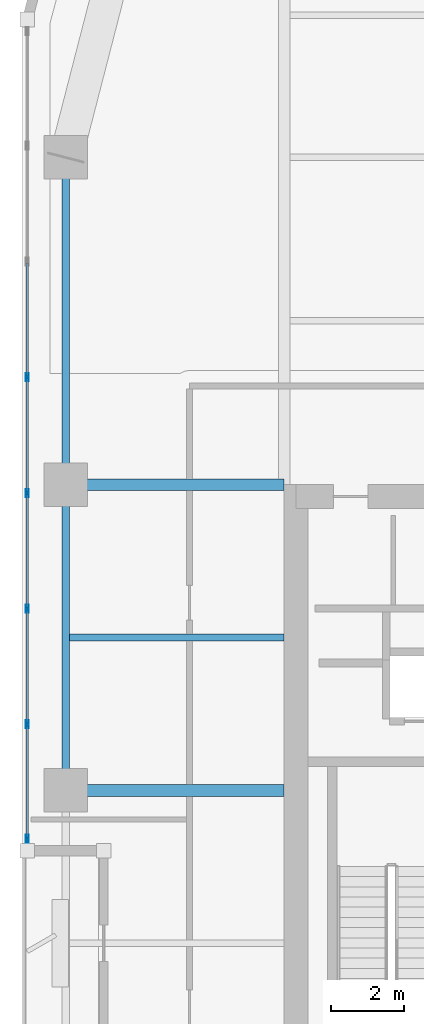
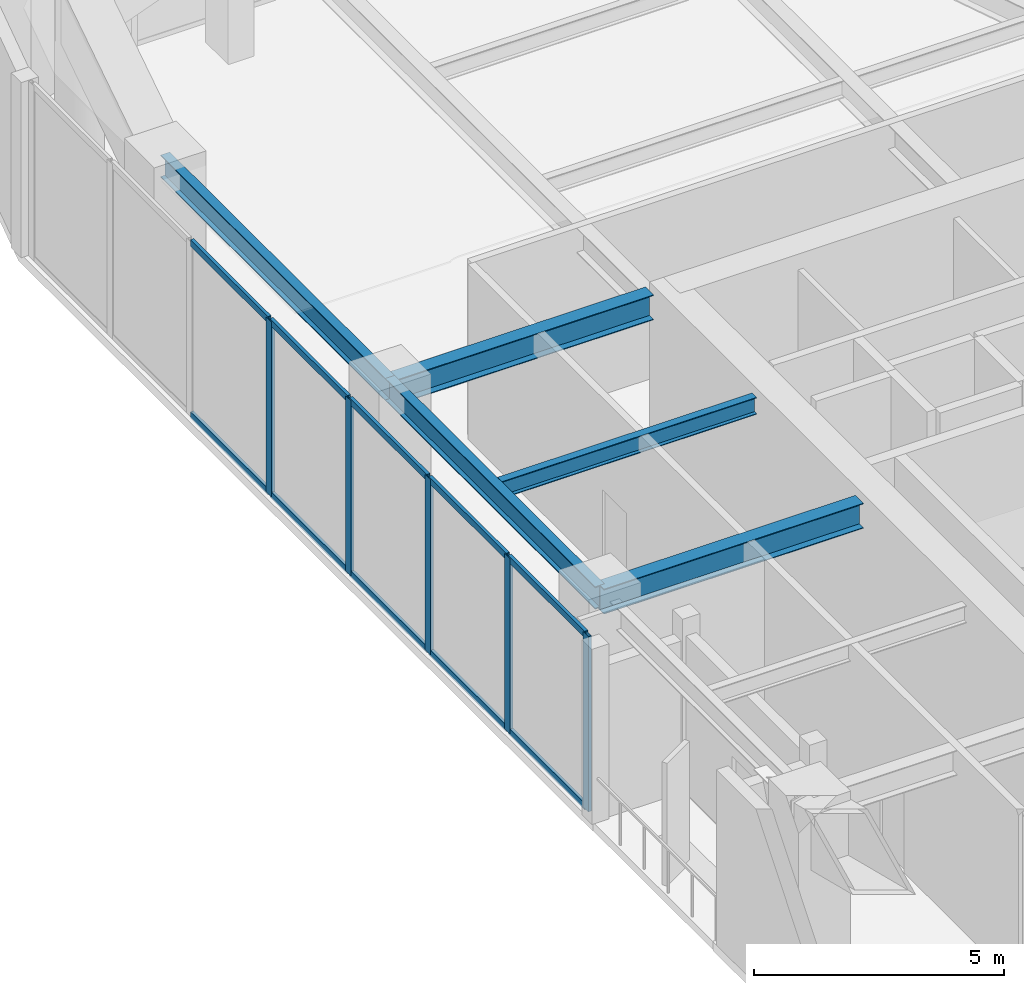
# One storey, part 2 of 18: 15 members, 5 beams, 1 element without a shape of its own.
"""IFC4 building model written with IfcOpenShell, lengths in metres."""

import ifcopenshell
import ifcopenshell.guid

model = None  # the IFC model being written
_history = None  # IfcOwnerHistory: only IFC2X3 demands one
_inside = {}  # id of a spatial element -> (the spatial element, [elements in it])
_under = {}  # id of a project, library or spatial element -> (it, [spatial elements below it])
_declared = {}  # id of a project -> (the project, [libraries it declares])
_typed = {}  # id of a type object -> (the type object, [elements of that type])
_made_of = {}  # id of a material, layer set ... -> (it, [elements and type objects made of it])


def new_model(schema):
    """Start an empty IFC model of exactly this schema.

    Asked for "IFC4X3", IfcOpenShell would pick the latest addendum, in which some entities
    have other attributes; the version numbers below select the first issue.
    IFC2X3 requires an IfcOwnerHistory on every rooted entity: one is made here for all.
    """
    global model, _history
    if schema == "IFC4X3":
        model = ifcopenshell.file(schema_version=(4, 3, 0, 0))
    else:
        model = ifcopenshell.file(schema=schema)
    _inside.clear()
    _under.clear()
    _declared.clear()
    _typed.clear()
    _made_of.clear()
    _history = None
    if model.schema == "IFC2X3":
        org = make("IfcOrganization", Name="unknown")
        user = make(
            "IfcPersonAndOrganization",
            ThePerson=make("IfcPerson", FamilyName="unknown"),
            TheOrganization=org,
        )
        app = make(
            "IfcApplication",
            ApplicationDeveloper=org,
            Version="unknown",
            ApplicationFullName="unknown",
            ApplicationIdentifier="unknown",
        )
        _history = make(
            "IfcOwnerHistory",
            OwningUser=user,
            OwningApplication=app,
            ChangeAction="ADDED",
            CreationDate=0,
        )
    return model


def make(cls, **values):
    """One entity of the class cls with the attributes given. An attribute that is None is left unset."""
    return model.create_entity(
        cls, **{name: value for name, value in values.items() if value is not None}
    )


def rooted(cls, **values):
    """An entity with a GlobalId (a new one), such as an element, a storey or a relation."""
    return make(cls, GlobalId=ifcopenshell.guid.new(), OwnerHistory=_history, **values)


def si_unit(unit_type, name, prefix=None):
    """IfcSIUnit, for example si_unit("LENGTHUNIT", "METRE", prefix="MILLI")."""
    return make("IfcSIUnit", UnitType=unit_type, Prefix=prefix, Name=name)


def assignment(units):
    """IfcUnitAssignment: the units of a project."""
    return None if units is None else make("IfcUnitAssignment", Units=units)


def point(xyz):
    """IfcCartesianPoint."""
    return None if xyz is None else make("IfcCartesianPoint", Coordinates=xyz)


def direction(xyz):
    """IfcDirection."""
    return None if xyz is None else make("IfcDirection", DirectionRatios=xyz)


def frame(location, z_axis=None, x_axis=None):
    """IfcAxis2Placement3D, a coordinate frame: its origin and axes. An axis left out is left unset."""
    return make(
        "IfcAxis2Placement3D",
        Location=point(location),
        Axis=direction(z_axis),
        RefDirection=direction(x_axis),
    )


def frame_2d(location, x_axis=None):
    """IfcAxis2Placement2D, a coordinate frame in the plane: its origin and x axis."""
    return make(
        "IfcAxis2Placement2D", Location=point(location), RefDirection=direction(x_axis)
    )


def origin():
    """The frame at (0, 0, 0) with its axes left unset."""
    return frame((0.0, 0.0, 0.0))


def origin_2d():
    """The frame at (0, 0) in the plane with its x axis left unset."""
    return frame_2d((0.0, 0.0))


def place(relative_to, where):
    """IfcLocalPlacement: puts the frame where relative to a parent placement (None: the world)."""
    return make(
        "IfcLocalPlacement", PlacementRelTo=relative_to, RelativePlacement=where
    )


def context(
    kind, dimensions, precision=None, world=None, true_north=None, identifier=None
):
    """IfcGeometricRepresentationContext, for example the 3D "Model" context."""
    return make(
        "IfcGeometricRepresentationContext",
        ContextIdentifier=identifier,
        ContextType=kind,
        CoordinateSpaceDimension=dimensions,
        Precision=precision,
        WorldCoordinateSystem=world,
        TrueNorth=true_north,
    )


def subcontext(parent, identifier, kind, view, scale=None):
    """IfcGeometricRepresentationSubContext, for example "Body" below "Model"."""
    return make(
        "IfcGeometricRepresentationSubContext",
        ContextIdentifier=identifier,
        ContextType=kind,
        ParentContext=parent,
        TargetScale=scale,
        TargetView=view,
    )


def project(units=None, contexts=None):
    """IfcProject with its units and contexts."""
    return rooted(
        "IfcProject",
        Name="project",
        RepresentationContexts=contexts,
        UnitsInContext=assignment(units),
    )


def spatial(cls, under=None, at=None, **own):
    """A site, building, storey or space (cls), placed at a placement, below another one or the project."""
    s = rooted(cls, ObjectPlacement=at, **own)
    if under is not None:
        _under.setdefault(under.id(), (under, []))[1].append(s)
    return s


def profile(cls, at=None, kind="AREA", **sizes):
    """A parametric profile (cls). Its sizes go by their IFC names, for example OverallWidth=200.0."""
    return make(cls, ProfileType=kind, Position=at, **sizes)


def hollow_rectangle(**sizes):
    """IfcRectangleHollowProfileDef."""
    return profile("IfcRectangleHollowProfileDef", **sizes)


def i_section(**sizes):
    """IfcIShapeProfileDef."""
    return profile("IfcIShapeProfileDef", **sizes)


def extrude(swept, where, along, depth):
    """IfcExtrudedAreaSolid: the profile swept, set in the frame where, extruded along a direction by depth."""
    return make(
        "IfcExtrudedAreaSolid",
        SweptArea=swept,
        Position=where,
        ExtrudedDirection=direction(along),
        Depth=depth,
    )


def shape(context_of_items, identifier, shape_type, items):
    """IfcShapeRepresentation: the items that make up one representation, for example the "Body"."""
    return make(
        "IfcShapeRepresentation",
        ContextOfItems=context_of_items,
        RepresentationIdentifier=identifier,
        RepresentationType=shape_type,
        Items=items,
    )


def material(Name=None, Category=None):
    """IfcMaterial."""
    return make("IfcMaterial", Name=Name, Category=Category)


def layer(
    of_material, thickness, ventilated=None, Name=None, Category=None, Priority=None
):
    """IfcMaterialLayer: one layer of a wall or slab, of a material (None: an air gap)."""
    return make(
        "IfcMaterialLayer",
        Material=of_material,
        LayerThickness=thickness,
        IsVentilated=ventilated,
        Name=Name,
        Category=Category,
        Priority=Priority,
    )


def layer_set(layers, Name=None):
    """IfcMaterialLayerSet."""
    return make("IfcMaterialLayerSet", MaterialLayers=layers, LayerSetName=Name)


def material_profile(
    of_material, cross_section, Name=None, Category=None, Priority=None
):
    """IfcMaterialProfile: a cross section and its material."""
    return make(
        "IfcMaterialProfile",
        Name=Name,
        Material=of_material,
        Profile=cross_section,
        Priority=Priority,
        Category=Category,
    )


def profile_set(profiles, Name=None, composite=None):
    """IfcMaterialProfileSet."""
    return make(
        "IfcMaterialProfileSet",
        Name=Name,
        MaterialProfiles=profiles,
        CompositeProfile=composite,
    )


def made_of(thing, what):
    """Note that an element or type object is made of a material, layer set ...; save() writes the relation."""
    if what is not None:
        _made_of.setdefault(what.id(), (what, []))[1].append(thing)
    return thing


def type_object(cls, material=None, **own):
    """A type object (cls), such as IfcWallType, which elements share."""
    return made_of(rooted(cls, **own), material)


def element(
    cls,
    number,
    at=None,
    inside=None,
    cuts=None,
    type_object=None,
    material=None,
    context=None,
    identifier="Body",
    shape_type=None,
    held_by="IfcProductDefinitionShape",
    body=None,
    shapes=None,
    **own,
):
    """One element of the class cls, such as IfcWall. Its Tag is "e" and its number.

    at: its placement. inside: the storey or other place that contains it. cuts: it is an
    opening in that element (IfcRelVoidsElement). A single representation is given by context,
    identifier, shape_type and body (its items); several are given by shapes. held_by: the class
    of the entity that holds the representations. save() writes the other relations.
    """
    e = rooted(cls, Tag="e%d" % number, ObjectPlacement=at, **own)
    if body is not None:
        shapes = [shape(context, identifier, shape_type, body)]
    if shapes is not None:
        e.Representation = make(held_by, Representations=shapes)
    if inside is not None:
        _inside.setdefault(inside.id(), (inside, []))[1].append(e)
    if cuts is not None:
        rooted(
            "IfcRelVoidsElement", RelatingBuildingElement=cuts, RelatedOpeningElement=e
        )
    if type_object is not None:
        _typed.setdefault(type_object.id(), (type_object, []))[1].append(e)
    return made_of(e, material)


def aggregate(whole, parts):
    """IfcRelAggregates: a whole, such as a stair, and the parts it consists of."""
    return rooted("IfcRelAggregates", RelatingObject=whole, RelatedObjects=parts)


def save(model, path):
    """Write the relations noted so far, then the file.

    IfcRelAggregates (storeys below a building ...), IfcRelContainedInSpatialStructure (elements
    in a storey), IfcRelDefinesByType, IfcRelAssociatesMaterial and IfcRelDeclares: one each for
    every whole, place, type object, material and project.
    """
    for whole, parts in _under.values():
        aggregate(whole, parts)
    for where, things in _inside.values():
        rooted(
            "IfcRelContainedInSpatialStructure",
            RelatedElements=things,
            RelatingStructure=where,
        )
    for kind, things in _typed.values():
        rooted("IfcRelDefinesByType", RelatedObjects=things, RelatingType=kind)
    for what, things in _made_of.values():
        rooted("IfcRelAssociatesMaterial", RelatedObjects=things, RelatingMaterial=what)
    for by, libraries in _declared.values():
        rooted("IfcRelDeclares", RelatingContext=by, RelatedDefinitions=libraries)
    model.write(path)


model = new_model("IFC4")

# Units and contexts
model_context = context("Model", 3, precision=1e-05, world=origin(), true_north=direction((0.0, 1.0)))
body_context = subcontext(model_context, "Body", "Model", "MODEL_VIEW")
ifc_project = project(units=[si_unit("LENGTHUNIT", "METRE"), si_unit("AREAUNIT", "SQUARE_METRE"), si_unit("VOLUMEUNIT", "CUBIC_METRE"), si_unit("PLANEANGLEUNIT", "RADIAN"), si_unit("MASSUNIT", "GRAM", prefix="KILO")], contexts=[model_context])

# Site, building, storey
site_placement = place(None, origin())
site = spatial("IfcSite", under=ifc_project, at=site_placement, CompositionType="ELEMENT")
building_placement = place(site_placement, origin())
building = spatial("IfcBuilding", under=site, at=building_placement, Name="Kiyonajd Concourse Tower", CompositionType="ELEMENT")
storey_placement = place(building_placement, frame((0.0, 0.0, 214.800048828125)))
storey = spatial("IfcBuildingStorey", under=building, at=storey_placement, Name="L54", CompositionType="ELEMENT", Elevation=214.800048828125)

# Beams
ifc_material_1 = material(Name="Steel ASTM A992 Grade 50", Category="steel")
ifc_material_profile_1 = material_profile(ifc_material_1, i_section(OverallWidth=0.180908203125, OverallDepth=0.4169921875, WebThickness=0.010986328125, FlangeThickness=0.018310546875, at=origin_2d()), Name="W410X85")
ifc_profile_set_1 = profile_set([ifc_material_profile_1], Name="Steel ASTM A992 Grade 50")
beam_type_1 = type_object("IfcBeamType", Name="BM-JST-410", PredefinedType="JOIST", material=ifc_profile_set_1)
beam_1_placement = place(storey_placement, frame((26.507080078125, 40.199951171875, 4.071533203125), z_axis=(1.0, 0.0, 0.0), x_axis=(0.0, 1.0, 0.0)))
element("IfcBeam", 1, at=beam_1_placement, inside=storey, type_object=beam_type_1, Name="L54 West Secondary Floor Joist", PredefinedType="JOIST", context=body_context, shape_type="SweptSolid", body=[
    extrude(i_section(OverallWidth=0.180908203125, OverallDepth=0.4169921875, WebThickness=0.010986328125, FlangeThickness=0.018310546875, at=origin_2d()), origin(), (0.0, 0.0, 1.0), 5.892822265625),
])
ifc_material_profile_2 = material_profile(ifc_material_1, i_section(OverallWidth=0.214111328125, OverallDepth=0.549072265625, WebThickness=0.0146484375, FlangeThickness=0.023681640625, at=origin_2d()), Name="W530X138")
ifc_profile_set_2 = profile_set([ifc_material_profile_2], Name="Steel ASTM A992 Grade 50")
beam_type_2 = type_object("IfcBeamType", Name="BM-SPAN-530A", PredefinedType="SPANDREL", material=ifc_profile_set_2)
beam_2_placement = place(storey_placement, frame((26.39990234375, 53.39990234375, 4.00537109375), z_axis=(0.0, -1.0, 0.0), x_axis=(1.0, 0.0, 0.0)))
element("IfcBeam", 2, at=beam_2_placement, inside=storey, type_object=beam_type_2, Name="L54 Perimeter Bundled Tube Spandrel", PredefinedType="SPANDREL", context=body_context, shape_type="SweptSolid", body=[
    extrude(i_section(OverallWidth=0.214111328125, OverallDepth=0.549072265625, WebThickness=0.0146484375, FlangeThickness=0.023681640625, at=origin_2d()), origin(), (0.0, 0.0, 1.0), 9.0),
])
beam_3_placement = place(storey_placement, frame((26.39990234375, 44.39990234375, 4.00537109375), z_axis=(0.0, -1.0, 0.0), x_axis=(1.0, 0.0, 0.0)))
element("IfcBeam", 3, at=beam_3_placement, inside=storey, type_object=beam_type_2, Name="L54 Perimeter Bundled Tube Spandrel", PredefinedType="SPANDREL", context=body_context, shape_type="SweptSolid", body=[
    extrude(i_section(OverallWidth=0.214111328125, OverallDepth=0.549072265625, WebThickness=0.0146484375, FlangeThickness=0.023681640625, at=origin_2d()), origin(), (0.0, 0.0, 1.0), 8.39990234375),
])
ifc_material_profile_3 = material_profile(ifc_material_1, i_section(OverallWidth=0.323974609375, OverallDepth=0.611083984375, WebThickness=0.0126953125, FlangeThickness=0.01904296875, at=origin_2d()), Name="W610X155")
ifc_profile_set_3 = profile_set([ifc_material_profile_3], Name="Steel ASTM A992 Grade 50")
beam_type_3 = type_object("IfcBeamType", Name="BM-TWR-610B", PredefinedType="BEAM", material=ifc_profile_set_3)
for number, where, z_axis, x_axis, name in (
    (4, (26.39990234375, 36.0, 3.974365234375), (1.0, 0.0, 0.0), (0.0, 1.0, 0.0), "L54 West Lease Girder"),
    (5, (26.39990234375, 44.39990234375, 3.974365234375), (1.0, 0.0, 0.0), (0.0, 1.0, 0.0), "L54 West Lease Girder"),
):
    element("IfcBeam", number, at=place(storey_placement, frame(where, z_axis=z_axis, x_axis=x_axis)), inside=storey, type_object=beam_type_3, Name=name, PredefinedType="BEAM", context=body_context, shape_type="SweptSolid", body=[
        extrude(i_section(OverallWidth=0.323974609375, OverallDepth=0.611083984375, WebThickness=0.0126953125, FlangeThickness=0.01904296875, at=origin_2d()), origin(), (0.0, 0.0, 1.0), 6.0),
    ])

# Curtain wall, members
ifc_material_2 = material(Name="Thermally Broken Anodised Aluminium", Category="aluminium")
ifc_layer = layer(ifc_material_2, 0.179931640625)
ifc_layer_set = layer_set([ifc_layer], Name="Thermally Broken Anodised Aluminium")
curtain_wall_type = type_object("IfcCurtainWallType", Name="CW-SYS-05", PredefinedType="NOTDEFINED", material=ifc_layer_set)
curtain_wall_placement = place(storey_placement, origin())
curtain_wall = element("IfcCurtainWall", 6, at=curtain_wall_placement, inside=storey, type_object=curtain_wall_type, Name="L54 Unitised Curtain Wall CW5", PredefinedType="NOTDEFINED")
ifc_material_profile_4 = material_profile(ifc_material_2, hollow_rectangle(XDim=0.074951171875, YDim=0.219970703125, WallThickness=0.0048828125, at=origin_2d()), Name="MULL-75x220")
ifc_profile_set_4 = profile_set([ifc_material_profile_4], Name="Thermally Broken Anodised Aluminium")
member_type_1 = type_object("IfcMemberType", Name="MB-CW-MULL2", PredefinedType="MULLION", material=ifc_profile_set_4)
member_1_placement = place(storey_placement, frame((25.340087890625, 34.66748046875, 0.0), z_axis=(0.0, 0.0, 1.0), x_axis=(-1.0, 0.0, 0.0)))
member_1 = element("IfcMember", 7, at=member_1_placement, type_object=member_type_1, Name="CW5 mullion 1", PredefinedType="MULLION", context=body_context, shape_type="SweptSolid", body=[
    extrude(hollow_rectangle(XDim=0.074951171875, YDim=0.219970703125, WallThickness=0.0048828125, at=origin_2d()), origin(), (0.0, 0.0, 1.0), 4.280029296875),
])
member_2_placement = place(storey_placement, frame((25.340087890625, 37.810302734375, 0.0), z_axis=(0.0, 0.0, 1.0), x_axis=(-1.0, 0.0, 0.0)))
member_2 = element("IfcMember", 8, at=member_2_placement, type_object=member_type_1, Name="CW5 mullion 2", PredefinedType="MULLION", context=body_context, shape_type="SweptSolid", body=[
    extrude(hollow_rectangle(XDim=0.074951171875, YDim=0.219970703125, WallThickness=0.0048828125, at=origin_2d()), origin(), (0.0, 0.0, 1.0), 4.280029296875),
])
member_3_placement = place(storey_placement, frame((25.340087890625, 40.990478515625, 0.0), z_axis=(0.0, 0.0, 1.0), x_axis=(-1.0, 0.0, 0.0)))
member_3 = element("IfcMember", 9, at=member_3_placement, type_object=member_type_1, Name="CW5 mullion 3", PredefinedType="MULLION", context=body_context, shape_type="SweptSolid", body=[
    extrude(hollow_rectangle(XDim=0.074951171875, YDim=0.219970703125, WallThickness=0.0048828125, at=origin_2d()), origin(), (0.0, 0.0, 1.0), 4.280029296875),
])
member_4_placement = place(storey_placement, frame((25.340087890625, 44.170654296875, 0.0), z_axis=(0.0, 0.0, 1.0), x_axis=(-1.0, 0.0, 0.0)))
member_4 = element("IfcMember", 10, at=member_4_placement, type_object=member_type_1, Name="CW5 mullion 4", PredefinedType="MULLION", context=body_context, shape_type="SweptSolid", body=[
    extrude(hollow_rectangle(XDim=0.074951171875, YDim=0.219970703125, WallThickness=0.0048828125, at=origin_2d()), origin(), (0.0, 0.0, 1.0), 4.280029296875),
])
member_5_placement = place(storey_placement, frame((25.340087890625, 47.350830078125, 0.0), z_axis=(0.0, 0.0, 1.0), x_axis=(-1.0, 0.0, 0.0)))
member_5 = element("IfcMember", 11, at=member_5_placement, type_object=member_type_1, Name="CW5 mullion 5", PredefinedType="MULLION", context=body_context, shape_type="SweptSolid", body=[
    extrude(hollow_rectangle(XDim=0.074951171875, YDim=0.219970703125, WallThickness=0.0048828125, at=origin_2d()), origin(), (0.0, 0.0, 1.0), 4.280029296875),
])
ifc_material_profile_5 = material_profile(ifc_material_2, hollow_rectangle(XDim=0.074951171875, YDim=0.159912109375, WallThickness=0.0048828125, at=origin_2d()), Name="TRAN-75x160")
ifc_profile_set_5 = profile_set([ifc_material_profile_5], Name="Thermally Broken Anodised Aluminium")
member_type_2 = type_object("IfcMemberType", Name="MB-CW-TRAN2", PredefinedType="USERDEFINED", material=ifc_profile_set_5)
member_6_placement = place(storey_placement, frame((25.340087890625, 34.705078125, 0.037353515625), z_axis=(0.0, 1.0, 0.0), x_axis=(-1.0, 0.0, 0.0)))
member_6 = element("IfcMember", 12, at=member_6_placement, type_object=member_type_2, Name="CW5 transom 1.1", ObjectType="TRANSOM", PredefinedType="USERDEFINED", context=body_context, shape_type="SweptSolid", body=[
    extrude(hollow_rectangle(XDim=0.074951171875, YDim=0.159912109375, WallThickness=0.0048828125, at=origin_2d()), origin(), (0.0, 0.0, 1.0), 3.067626953125),
])
member_7_placement = place(storey_placement, frame((25.340087890625, 34.705078125, 4.242431640625), z_axis=(0.0, 1.0, 0.0), x_axis=(-1.0, 0.0, 0.0)))
member_7 = element("IfcMember", 13, at=member_7_placement, type_object=member_type_2, Name="CW5 transom 1.2", ObjectType="TRANSOM", PredefinedType="USERDEFINED", context=body_context, shape_type="SweptSolid", body=[
    extrude(hollow_rectangle(XDim=0.074951171875, YDim=0.159912109375, WallThickness=0.0048828125, at=origin_2d()), origin(), (0.0, 0.0, 1.0), 3.067626953125),
])
member_8_placement = place(storey_placement, frame((25.340087890625, 37.84765625, 0.037353515625), z_axis=(0.0, 1.0, 0.0), x_axis=(-1.0, 0.0, 0.0)))
member_8 = element("IfcMember", 14, at=member_8_placement, type_object=member_type_2, Name="CW5 transom 2.1", ObjectType="TRANSOM", PredefinedType="USERDEFINED", context=body_context, shape_type="SweptSolid", body=[
    extrude(hollow_rectangle(XDim=0.074951171875, YDim=0.159912109375, WallThickness=0.0048828125, at=origin_2d()), origin(), (0.0, 0.0, 1.0), 3.105224609375),
])
member_9_placement = place(storey_placement, frame((25.340087890625, 37.84765625, 4.242431640625), z_axis=(0.0, 1.0, 0.0), x_axis=(-1.0, 0.0, 0.0)))
member_9 = element("IfcMember", 15, at=member_9_placement, type_object=member_type_2, Name="CW5 transom 2.2", ObjectType="TRANSOM", PredefinedType="USERDEFINED", context=body_context, shape_type="SweptSolid", body=[
    extrude(hollow_rectangle(XDim=0.074951171875, YDim=0.159912109375, WallThickness=0.0048828125, at=origin_2d()), origin(), (0.0, 0.0, 1.0), 3.105224609375),
])
member_10_placement = place(storey_placement, frame((25.340087890625, 41.028076171875, 0.037353515625), z_axis=(0.0, 1.0, 0.0), x_axis=(-1.0, 0.0, 0.0)))
member_10 = element("IfcMember", 16, at=member_10_placement, type_object=member_type_2, Name="CW5 transom 3.1", ObjectType="TRANSOM", PredefinedType="USERDEFINED", context=body_context, shape_type="SweptSolid", body=[
    extrude(hollow_rectangle(XDim=0.074951171875, YDim=0.159912109375, WallThickness=0.0048828125, at=origin_2d()), origin(), (0.0, 0.0, 1.0), 3.105224609375),
])
member_11_placement = place(storey_placement, frame((25.340087890625, 41.028076171875, 4.242431640625), z_axis=(0.0, 1.0, 0.0), x_axis=(-1.0, 0.0, 0.0)))
member_11 = element("IfcMember", 17, at=member_11_placement, type_object=member_type_2, Name="CW5 transom 3.2", ObjectType="TRANSOM", PredefinedType="USERDEFINED", context=body_context, shape_type="SweptSolid", body=[
    extrude(hollow_rectangle(XDim=0.074951171875, YDim=0.159912109375, WallThickness=0.0048828125, at=origin_2d()), origin(), (0.0, 0.0, 1.0), 3.105224609375),
])
member_12_placement = place(storey_placement, frame((25.340087890625, 44.208251953125, 0.037353515625), z_axis=(0.0, 1.0, 0.0), x_axis=(-1.0, 0.0, 0.0)))
member_12 = element("IfcMember", 18, at=member_12_placement, type_object=member_type_2, Name="CW5 transom 4.1", ObjectType="TRANSOM", PredefinedType="USERDEFINED", context=body_context, shape_type="SweptSolid", body=[
    extrude(hollow_rectangle(XDim=0.074951171875, YDim=0.159912109375, WallThickness=0.0048828125, at=origin_2d()), origin(), (0.0, 0.0, 1.0), 3.105224609375),
])
member_13_placement = place(storey_placement, frame((25.340087890625, 44.208251953125, 4.242431640625), z_axis=(0.0, 1.0, 0.0), x_axis=(-1.0, 0.0, 0.0)))
member_13 = element("IfcMember", 19, at=member_13_placement, type_object=member_type_2, Name="CW5 transom 4.2", ObjectType="TRANSOM", PredefinedType="USERDEFINED", context=body_context, shape_type="SweptSolid", body=[
    extrude(hollow_rectangle(XDim=0.074951171875, YDim=0.159912109375, WallThickness=0.0048828125, at=origin_2d()), origin(), (0.0, 0.0, 1.0), 3.105224609375),
])
member_14_placement = place(storey_placement, frame((25.340087890625, 47.388427734375, 0.037353515625), z_axis=(0.0, 1.0, 0.0), x_axis=(-1.0, 0.0, 0.0)))
member_14 = element("IfcMember", 20, at=member_14_placement, type_object=member_type_2, Name="CW5 transom 5.1", ObjectType="TRANSOM", PredefinedType="USERDEFINED", context=body_context, shape_type="SweptSolid", body=[
    extrude(hollow_rectangle(XDim=0.074951171875, YDim=0.159912109375, WallThickness=0.0048828125, at=origin_2d()), origin(), (0.0, 0.0, 1.0), 3.105224609375),
])
member_15_placement = place(storey_placement, frame((25.340087890625, 47.388427734375, 4.242431640625), z_axis=(0.0, 1.0, 0.0), x_axis=(-1.0, 0.0, 0.0)))
member_15 = element("IfcMember", 21, at=member_15_placement, type_object=member_type_2, Name="CW5 transom 5.2", ObjectType="TRANSOM", PredefinedType="USERDEFINED", context=body_context, shape_type="SweptSolid", body=[
    extrude(hollow_rectangle(XDim=0.074951171875, YDim=0.159912109375, WallThickness=0.0048828125, at=origin_2d()), origin(), (0.0, 0.0, 1.0), 3.105224609375),
])
aggregate(curtain_wall, [member_1, member_2, member_3, member_4, member_5, member_6, member_7, member_8, member_9, member_10, member_11, member_12, member_13, member_14, member_15])

save(model, "model.ifc")
